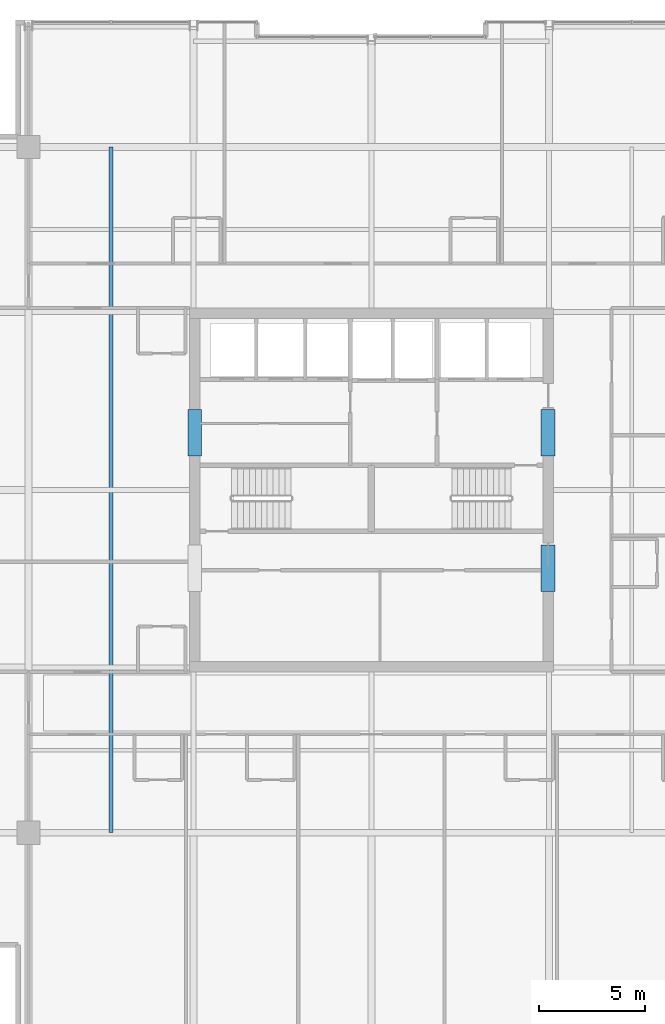
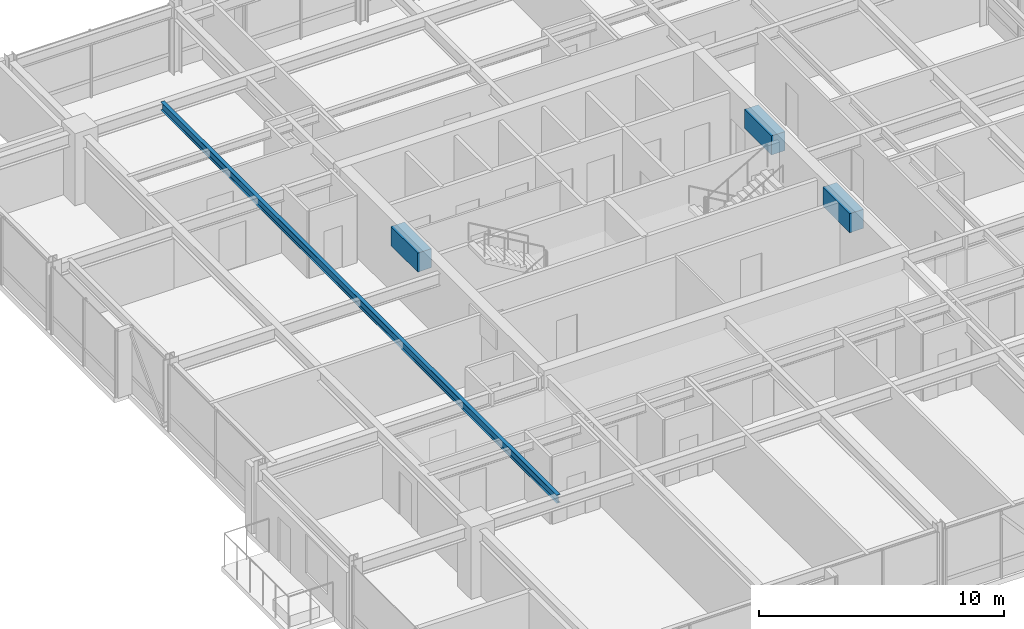
# One storey, part 11 of 32: 4 beams.
"""IFC4 building model written with IfcOpenShell, lengths in metres."""

import ifcopenshell
import ifcopenshell.guid

model = None  # the IFC model being written
_history = None  # IfcOwnerHistory: only IFC2X3 demands one
_inside = {}  # id of a spatial element -> (the spatial element, [elements in it])
_under = {}  # id of a project, library or spatial element -> (it, [spatial elements below it])
_declared = {}  # id of a project -> (the project, [libraries it declares])
_typed = {}  # id of a type object -> (the type object, [elements of that type])
_made_of = {}  # id of a material, layer set ... -> (it, [elements and type objects made of it])


def new_model(schema):
    """Start an empty IFC model of exactly this schema.

    Asked for "IFC4X3", IfcOpenShell would pick the latest addendum, in which some entities
    have other attributes; the version numbers below select the first issue.
    IFC2X3 requires an IfcOwnerHistory on every rooted entity: one is made here for all.
    """
    global model, _history
    if schema == "IFC4X3":
        model = ifcopenshell.file(schema_version=(4, 3, 0, 0))
    else:
        model = ifcopenshell.file(schema=schema)
    _inside.clear()
    _under.clear()
    _declared.clear()
    _typed.clear()
    _made_of.clear()
    _history = None
    if model.schema == "IFC2X3":
        org = make("IfcOrganization", Name="unknown")
        user = make(
            "IfcPersonAndOrganization",
            ThePerson=make("IfcPerson", FamilyName="unknown"),
            TheOrganization=org,
        )
        app = make(
            "IfcApplication",
            ApplicationDeveloper=org,
            Version="unknown",
            ApplicationFullName="unknown",
            ApplicationIdentifier="unknown",
        )
        _history = make(
            "IfcOwnerHistory",
            OwningUser=user,
            OwningApplication=app,
            ChangeAction="ADDED",
            CreationDate=0,
        )
    return model


def make(cls, **values):
    """One entity of the class cls with the attributes given. An attribute that is None is left unset."""
    return model.create_entity(
        cls, **{name: value for name, value in values.items() if value is not None}
    )


def rooted(cls, **values):
    """An entity with a GlobalId (a new one), such as an element, a storey or a relation."""
    return make(cls, GlobalId=ifcopenshell.guid.new(), OwnerHistory=_history, **values)


def si_unit(unit_type, name, prefix=None):
    """IfcSIUnit, for example si_unit("LENGTHUNIT", "METRE", prefix="MILLI")."""
    return make("IfcSIUnit", UnitType=unit_type, Prefix=prefix, Name=name)


def assignment(units):
    """IfcUnitAssignment: the units of a project."""
    return None if units is None else make("IfcUnitAssignment", Units=units)


def point(xyz):
    """IfcCartesianPoint."""
    return None if xyz is None else make("IfcCartesianPoint", Coordinates=xyz)


def direction(xyz):
    """IfcDirection."""
    return None if xyz is None else make("IfcDirection", DirectionRatios=xyz)


def frame(location, z_axis=None, x_axis=None):
    """IfcAxis2Placement3D, a coordinate frame: its origin and axes. An axis left out is left unset."""
    return make(
        "IfcAxis2Placement3D",
        Location=point(location),
        Axis=direction(z_axis),
        RefDirection=direction(x_axis),
    )


def frame_2d(location, x_axis=None):
    """IfcAxis2Placement2D, a coordinate frame in the plane: its origin and x axis."""
    return make(
        "IfcAxis2Placement2D", Location=point(location), RefDirection=direction(x_axis)
    )


def origin():
    """The frame at (0, 0, 0) with its axes left unset."""
    return frame((0.0, 0.0, 0.0))


def origin_2d():
    """The frame at (0, 0) in the plane with its x axis left unset."""
    return frame_2d((0.0, 0.0))


def place(relative_to, where):
    """IfcLocalPlacement: puts the frame where relative to a parent placement (None: the world)."""
    return make(
        "IfcLocalPlacement", PlacementRelTo=relative_to, RelativePlacement=where
    )


def context(
    kind, dimensions, precision=None, world=None, true_north=None, identifier=None
):
    """IfcGeometricRepresentationContext, for example the 3D "Model" context."""
    return make(
        "IfcGeometricRepresentationContext",
        ContextIdentifier=identifier,
        ContextType=kind,
        CoordinateSpaceDimension=dimensions,
        Precision=precision,
        WorldCoordinateSystem=world,
        TrueNorth=true_north,
    )


def subcontext(parent, identifier, kind, view, scale=None):
    """IfcGeometricRepresentationSubContext, for example "Body" below "Model"."""
    return make(
        "IfcGeometricRepresentationSubContext",
        ContextIdentifier=identifier,
        ContextType=kind,
        ParentContext=parent,
        TargetScale=scale,
        TargetView=view,
    )


def project(units=None, contexts=None):
    """IfcProject with its units and contexts."""
    return rooted(
        "IfcProject",
        Name="project",
        RepresentationContexts=contexts,
        UnitsInContext=assignment(units),
    )


def spatial(cls, under=None, at=None, **own):
    """A site, building, storey or space (cls), placed at a placement, below another one or the project."""
    s = rooted(cls, ObjectPlacement=at, **own)
    if under is not None:
        _under.setdefault(under.id(), (under, []))[1].append(s)
    return s


def profile(cls, at=None, kind="AREA", **sizes):
    """A parametric profile (cls). Its sizes go by their IFC names, for example OverallWidth=200.0."""
    return make(cls, ProfileType=kind, Position=at, **sizes)


def rectangle(**sizes):
    """IfcRectangleProfileDef."""
    return profile("IfcRectangleProfileDef", **sizes)


def i_section(**sizes):
    """IfcIShapeProfileDef."""
    return profile("IfcIShapeProfileDef", **sizes)


def extrude(swept, where, along, depth):
    """IfcExtrudedAreaSolid: the profile swept, set in the frame where, extruded along a direction by depth."""
    return make(
        "IfcExtrudedAreaSolid",
        SweptArea=swept,
        Position=where,
        ExtrudedDirection=direction(along),
        Depth=depth,
    )


def shape(context_of_items, identifier, shape_type, items):
    """IfcShapeRepresentation: the items that make up one representation, for example the "Body"."""
    return make(
        "IfcShapeRepresentation",
        ContextOfItems=context_of_items,
        RepresentationIdentifier=identifier,
        RepresentationType=shape_type,
        Items=items,
    )


def material(Name=None, Category=None):
    """IfcMaterial."""
    return make("IfcMaterial", Name=Name, Category=Category)


def material_profile(
    of_material, cross_section, Name=None, Category=None, Priority=None
):
    """IfcMaterialProfile: a cross section and its material."""
    return make(
        "IfcMaterialProfile",
        Name=Name,
        Material=of_material,
        Profile=cross_section,
        Priority=Priority,
        Category=Category,
    )


def profile_set(profiles, Name=None, composite=None):
    """IfcMaterialProfileSet."""
    return make(
        "IfcMaterialProfileSet",
        Name=Name,
        MaterialProfiles=profiles,
        CompositeProfile=composite,
    )


def made_of(thing, what):
    """Note that an element or type object is made of a material, layer set ...; save() writes the relation."""
    if what is not None:
        _made_of.setdefault(what.id(), (what, []))[1].append(thing)
    return thing


def type_object(cls, material=None, **own):
    """A type object (cls), such as IfcWallType, which elements share."""
    return made_of(rooted(cls, **own), material)


def element(
    cls,
    number,
    at=None,
    inside=None,
    cuts=None,
    type_object=None,
    material=None,
    context=None,
    identifier="Body",
    shape_type=None,
    held_by="IfcProductDefinitionShape",
    body=None,
    shapes=None,
    **own,
):
    """One element of the class cls, such as IfcWall. Its Tag is "e" and its number.

    at: its placement. inside: the storey or other place that contains it. cuts: it is an
    opening in that element (IfcRelVoidsElement). A single representation is given by context,
    identifier, shape_type and body (its items); several are given by shapes. held_by: the class
    of the entity that holds the representations. save() writes the other relations.
    """
    e = rooted(cls, Tag="e%d" % number, ObjectPlacement=at, **own)
    if body is not None:
        shapes = [shape(context, identifier, shape_type, body)]
    if shapes is not None:
        e.Representation = make(held_by, Representations=shapes)
    if inside is not None:
        _inside.setdefault(inside.id(), (inside, []))[1].append(e)
    if cuts is not None:
        rooted(
            "IfcRelVoidsElement", RelatingBuildingElement=cuts, RelatedOpeningElement=e
        )
    if type_object is not None:
        _typed.setdefault(type_object.id(), (type_object, []))[1].append(e)
    return made_of(e, material)


def aggregate(whole, parts):
    """IfcRelAggregates: a whole, such as a stair, and the parts it consists of."""
    return rooted("IfcRelAggregates", RelatingObject=whole, RelatedObjects=parts)


def save(model, path):
    """Write the relations noted so far, then the file.

    IfcRelAggregates (storeys below a building ...), IfcRelContainedInSpatialStructure (elements
    in a storey), IfcRelDefinesByType, IfcRelAssociatesMaterial and IfcRelDeclares: one each for
    every whole, place, type object, material and project.
    """
    for whole, parts in _under.values():
        aggregate(whole, parts)
    for where, things in _inside.values():
        rooted(
            "IfcRelContainedInSpatialStructure",
            RelatedElements=things,
            RelatingStructure=where,
        )
    for kind, things in _typed.values():
        rooted("IfcRelDefinesByType", RelatedObjects=things, RelatingType=kind)
    for what, things in _made_of.values():
        rooted("IfcRelAssociatesMaterial", RelatedObjects=things, RelatingMaterial=what)
    for by, libraries in _declared.values():
        rooted("IfcRelDeclares", RelatingContext=by, RelatedDefinitions=libraries)
    model.write(path)


model = new_model("IFC4")

# Units and contexts
model_context = context("Model", 3, precision=1e-05, world=origin(), true_north=direction((0.0, 1.0)))
body_context = subcontext(model_context, "Body", "Model", "MODEL_VIEW")
ifc_project = project(units=[si_unit("LENGTHUNIT", "METRE"), si_unit("AREAUNIT", "SQUARE_METRE"), si_unit("VOLUMEUNIT", "CUBIC_METRE"), si_unit("PLANEANGLEUNIT", "RADIAN"), si_unit("MASSUNIT", "GRAM", prefix="KILO")], contexts=[model_context])

# Site, building, storey
site_placement = place(None, origin())
site = spatial("IfcSite", under=ifc_project, at=site_placement, CompositionType="ELEMENT")
building_placement = place(site_placement, origin())
building = spatial("IfcBuilding", under=site, at=building_placement, Name="Drelvath Grand Hotel", CompositionType="ELEMENT")
storey_placement = place(building_placement, frame((0.0, 0.0, 233.89990234375)))
storey = spatial("IfcBuildingStorey", under=building, at=storey_placement, Name="L61", CompositionType="ELEMENT", Elevation=233.89990234375)

# Beams
ifc_material_1 = material(Name="Steel ASTM A992 Gr 50", Category="steel")
ifc_material_profile_1 = material_profile(ifc_material_1, i_section(OverallWidth=0.177734375, OverallDepth=0.40673828125, WebThickness=0.0078125, FlangeThickness=0.0126953125, FilletRadius=0.014892578125, at=origin_2d()), Name="W16X40")
ifc_profile_set_1 = profile_set([ifc_material_profile_1], Name="Steel ASTM A992 Gr 50")
beam_type_1 = type_object("IfcBeamType", Name="Composite Floor Joist W16X40", PredefinedType="JOIST", material=ifc_profile_set_1)
beam_placement = place(storey_placement, frame((-12.300048828125, 10.800048828125, 3.13671875), z_axis=(0.0, 1.0, 0.0), x_axis=(-1.0, 0.0, 0.0)))
element("IfcBeam", 1, at=beam_placement, inside=storey, type_object=beam_type_1, Name="L61 Wing Floor Joist J3", PredefinedType="JOIST", context=body_context, shape_type="SweptSolid", body=[
    extrude(i_section(OverallWidth=0.177734375, OverallDepth=0.40673828125, WebThickness=0.0078125, FlangeThickness=0.0126953125, FilletRadius=0.014892578125, at=origin_2d()), origin(), (0.0, 0.0, 1.0), 32.39990234375),
])
ifc_material_2 = material(Name="Concrete f'c 55 MPa", Category="concrete")
ifc_material_profile_2 = material_profile(ifc_material_2, rectangle(XDim=0.64990234375, YDim=0.949951171875, at=origin_2d()), Name="CB650X950")
ifc_profile_set_2 = profile_set([ifc_material_profile_2], Name="Concrete f'c 55 MPa")
beam_type_2 = type_object("IfcBeamType", Name="Core Coupling Lintel CB650X950", PredefinedType="LINTEL", material=ifc_profile_set_2)
for number, where, z_axis, x_axis, name in (
    (2, (-8.35009765625, 28.60009765625, 2.864990234375), (0.0, 1.0, 0.0), (-1.0, 0.0, 0.0), "L61 Core Coupling Lintel WN"),
    (3, (8.35009765625, 22.199951171875, 2.864990234375), (0.0, 1.0, 0.0), (-1.0, 0.0, 0.0), "L61 Core Coupling Lintel ES"),
    (4, (8.35009765625, 28.60009765625, 2.864990234375), (0.0, 1.0, 0.0), (-1.0, 0.0, 0.0), "L61 Core Coupling Lintel EN"),
):
    element("IfcBeam", number, at=place(storey_placement, frame(where, z_axis=z_axis, x_axis=x_axis)), inside=storey, type_object=beam_type_2, Name=name, PredefinedType="LINTEL", context=body_context, shape_type="SweptSolid", body=[
        extrude(rectangle(XDim=0.64990234375, YDim=0.949951171875, at=origin_2d()), origin(), (0.0, 0.0, 1.0), 2.199951171875),
    ])

save(model, "model.ifc")
